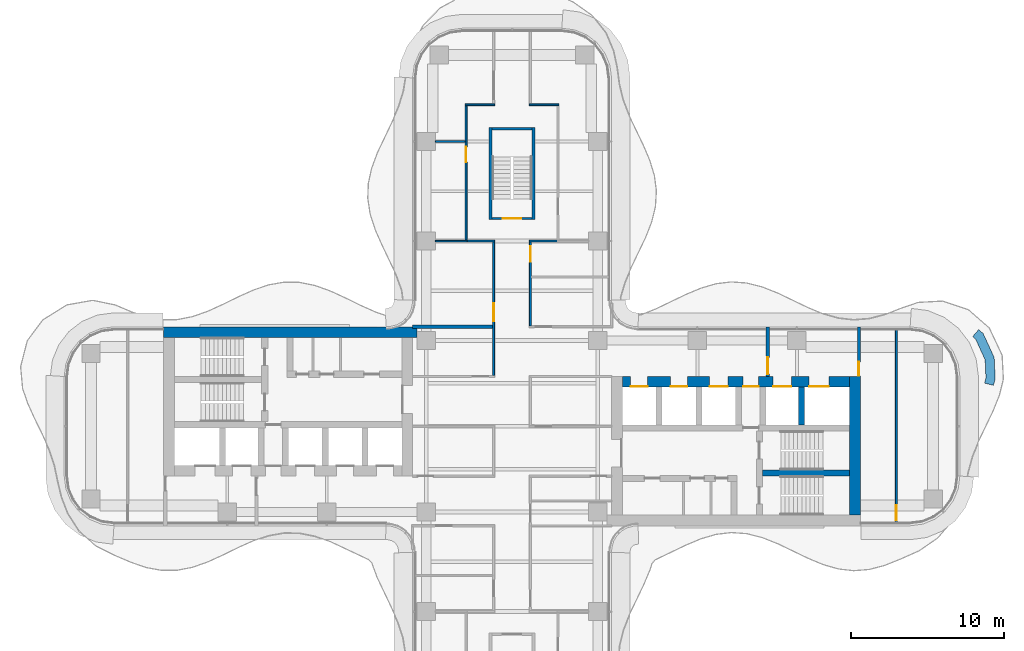
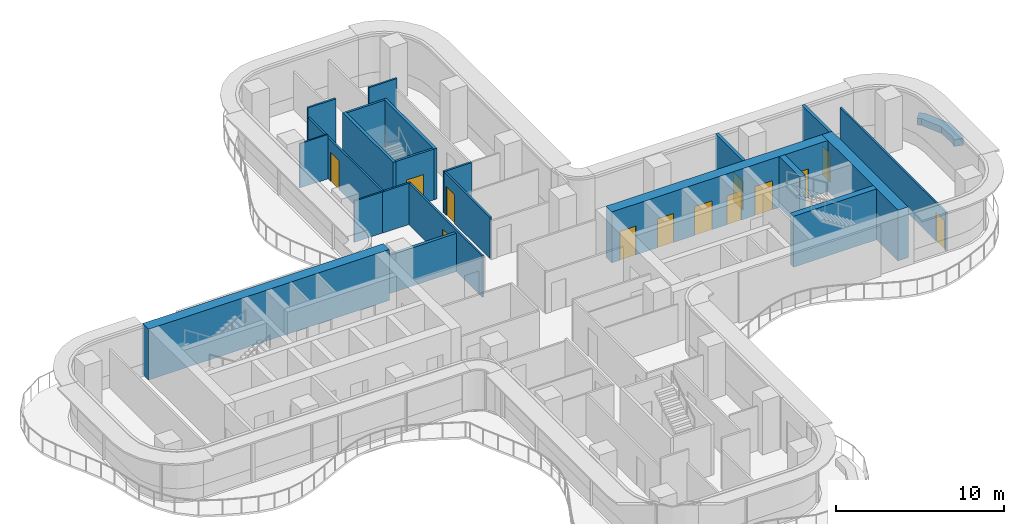
# One storey, part 15 of 18: 23 walls, 13 doors, 13 openings.
"""IFC4 building model written with IfcOpenShell, lengths in metres."""

import ifcopenshell
import ifcopenshell.guid

model = None  # the IFC model being written
_history = None  # IfcOwnerHistory: only IFC2X3 demands one
_inside = {}  # id of a spatial element -> (the spatial element, [elements in it])
_under = {}  # id of a project, library or spatial element -> (it, [spatial elements below it])
_declared = {}  # id of a project -> (the project, [libraries it declares])
_typed = {}  # id of a type object -> (the type object, [elements of that type])
_made_of = {}  # id of a material, layer set ... -> (it, [elements and type objects made of it])


def new_model(schema):
    """Start an empty IFC model of exactly this schema.

    Asked for "IFC4X3", IfcOpenShell would pick the latest addendum, in which some entities
    have other attributes; the version numbers below select the first issue.
    IFC2X3 requires an IfcOwnerHistory on every rooted entity: one is made here for all.
    """
    global model, _history
    if schema == "IFC4X3":
        model = ifcopenshell.file(schema_version=(4, 3, 0, 0))
    else:
        model = ifcopenshell.file(schema=schema)
    _inside.clear()
    _under.clear()
    _declared.clear()
    _typed.clear()
    _made_of.clear()
    _history = None
    if model.schema == "IFC2X3":
        org = make("IfcOrganization", Name="unknown")
        user = make(
            "IfcPersonAndOrganization",
            ThePerson=make("IfcPerson", FamilyName="unknown"),
            TheOrganization=org,
        )
        app = make(
            "IfcApplication",
            ApplicationDeveloper=org,
            Version="unknown",
            ApplicationFullName="unknown",
            ApplicationIdentifier="unknown",
        )
        _history = make(
            "IfcOwnerHistory",
            OwningUser=user,
            OwningApplication=app,
            ChangeAction="ADDED",
            CreationDate=0,
        )
    return model


def make(cls, **values):
    """One entity of the class cls with the attributes given. An attribute that is None is left unset."""
    return model.create_entity(
        cls, **{name: value for name, value in values.items() if value is not None}
    )


def rooted(cls, **values):
    """An entity with a GlobalId (a new one), such as an element, a storey or a relation."""
    return make(cls, GlobalId=ifcopenshell.guid.new(), OwnerHistory=_history, **values)


def si_unit(unit_type, name, prefix=None):
    """IfcSIUnit, for example si_unit("LENGTHUNIT", "METRE", prefix="MILLI")."""
    return make("IfcSIUnit", UnitType=unit_type, Prefix=prefix, Name=name)


def assignment(units):
    """IfcUnitAssignment: the units of a project."""
    return None if units is None else make("IfcUnitAssignment", Units=units)


def point(xyz):
    """IfcCartesianPoint."""
    return None if xyz is None else make("IfcCartesianPoint", Coordinates=xyz)


def direction(xyz):
    """IfcDirection."""
    return None if xyz is None else make("IfcDirection", DirectionRatios=xyz)


def frame(location, z_axis=None, x_axis=None):
    """IfcAxis2Placement3D, a coordinate frame: its origin and axes. An axis left out is left unset."""
    return make(
        "IfcAxis2Placement3D",
        Location=point(location),
        Axis=direction(z_axis),
        RefDirection=direction(x_axis),
    )


def frame_2d(location, x_axis=None):
    """IfcAxis2Placement2D, a coordinate frame in the plane: its origin and x axis."""
    return make(
        "IfcAxis2Placement2D", Location=point(location), RefDirection=direction(x_axis)
    )


def origin():
    """The frame at (0, 0, 0) with its axes left unset."""
    return frame((0.0, 0.0, 0.0))


def place(relative_to, where):
    """IfcLocalPlacement: puts the frame where relative to a parent placement (None: the world)."""
    return make(
        "IfcLocalPlacement", PlacementRelTo=relative_to, RelativePlacement=where
    )


def context(
    kind, dimensions, precision=None, world=None, true_north=None, identifier=None
):
    """IfcGeometricRepresentationContext, for example the 3D "Model" context."""
    return make(
        "IfcGeometricRepresentationContext",
        ContextIdentifier=identifier,
        ContextType=kind,
        CoordinateSpaceDimension=dimensions,
        Precision=precision,
        WorldCoordinateSystem=world,
        TrueNorth=true_north,
    )


def subcontext(parent, identifier, kind, view, scale=None):
    """IfcGeometricRepresentationSubContext, for example "Body" below "Model"."""
    return make(
        "IfcGeometricRepresentationSubContext",
        ContextIdentifier=identifier,
        ContextType=kind,
        ParentContext=parent,
        TargetScale=scale,
        TargetView=view,
    )


def project(units=None, contexts=None):
    """IfcProject with its units and contexts."""
    return rooted(
        "IfcProject",
        Name="project",
        RepresentationContexts=contexts,
        UnitsInContext=assignment(units),
    )


def spatial(cls, under=None, at=None, **own):
    """A site, building, storey or space (cls), placed at a placement, below another one or the project."""
    s = rooted(cls, ObjectPlacement=at, **own)
    if under is not None:
        _under.setdefault(under.id(), (under, []))[1].append(s)
    return s


def polyline(points):
    """IfcPolyline through the points."""
    return make("IfcPolyline", Points=[point(p) for p in points])


def profile(cls, at=None, kind="AREA", **sizes):
    """A parametric profile (cls). Its sizes go by their IFC names, for example OverallWidth=200.0."""
    return make(cls, ProfileType=kind, Position=at, **sizes)


def rectangle(**sizes):
    """IfcRectangleProfileDef."""
    return profile("IfcRectangleProfileDef", **sizes)


def outline(outer, holes=None, kind="AREA"):
    """IfcArbitraryClosedProfileDef: a profile drawn as a closed curve; with holes, ...WithVoids."""
    if holes is None:
        return make("IfcArbitraryClosedProfileDef", ProfileType=kind, OuterCurve=outer)
    return make(
        "IfcArbitraryProfileDefWithVoids",
        ProfileType=kind,
        OuterCurve=outer,
        InnerCurves=holes,
    )


def extrude(swept, where, along, depth):
    """IfcExtrudedAreaSolid: the profile swept, set in the frame where, extruded along a direction by depth."""
    return make(
        "IfcExtrudedAreaSolid",
        SweptArea=swept,
        Position=where,
        ExtrudedDirection=direction(along),
        Depth=depth,
    )


def shape(context_of_items, identifier, shape_type, items):
    """IfcShapeRepresentation: the items that make up one representation, for example the "Body"."""
    return make(
        "IfcShapeRepresentation",
        ContextOfItems=context_of_items,
        RepresentationIdentifier=identifier,
        RepresentationType=shape_type,
        Items=items,
    )


def source(mapping_origin, context_of_items, identifier, shape_type, items):
    """IfcRepresentationMap: a shape defined once, which mapped items show again and again."""
    return make(
        "IfcRepresentationMap",
        MappingOrigin=mapping_origin,
        MappedRepresentation=shape(context_of_items, identifier, shape_type, items),
    )


def transform(
    local_origin,
    x_axis=None,
    y_axis=None,
    z_axis=None,
    scale=None,
    scale2=None,
    scale3=None,
    uniform=True,
):
    """IfcCartesianTransformationOperator3D, or its non-uniform kind. x_axis, y_axis, z_axis: its Axis1, 2, 3."""
    if uniform:
        return make(
            "IfcCartesianTransformationOperator3D",
            Axis1=direction(x_axis),
            Axis2=direction(y_axis),
            LocalOrigin=point(local_origin),
            Scale=scale,
            Axis3=direction(z_axis),
        )
    return make(
        "IfcCartesianTransformationOperator3DnonUniform",
        Axis1=direction(x_axis),
        Axis2=direction(y_axis),
        LocalOrigin=point(local_origin),
        Scale=scale,
        Axis3=direction(z_axis),
        Scale2=scale2,
        Scale3=scale3,
    )


def mapped(mapping_source, mapping_target):
    """IfcMappedItem: shows the shape of a source again, moved by a transform."""
    return make(
        "IfcMappedItem", MappingSource=mapping_source, MappingTarget=mapping_target
    )


def material(Name=None, Category=None):
    """IfcMaterial."""
    return make("IfcMaterial", Name=Name, Category=Category)


def layer(
    of_material, thickness, ventilated=None, Name=None, Category=None, Priority=None
):
    """IfcMaterialLayer: one layer of a wall or slab, of a material (None: an air gap)."""
    return make(
        "IfcMaterialLayer",
        Material=of_material,
        LayerThickness=thickness,
        IsVentilated=ventilated,
        Name=Name,
        Category=Category,
        Priority=Priority,
    )


def layer_set(layers, Name=None):
    """IfcMaterialLayerSet."""
    return make("IfcMaterialLayerSet", MaterialLayers=layers, LayerSetName=Name)


def made_of(thing, what):
    """Note that an element or type object is made of a material, layer set ...; save() writes the relation."""
    if what is not None:
        _made_of.setdefault(what.id(), (what, []))[1].append(thing)
    return thing


def type_object(cls, material=None, **own):
    """A type object (cls), such as IfcWallType, which elements share."""
    return made_of(rooted(cls, **own), material)


def element(
    cls,
    number,
    at=None,
    inside=None,
    cuts=None,
    type_object=None,
    material=None,
    context=None,
    identifier="Body",
    shape_type=None,
    held_by="IfcProductDefinitionShape",
    body=None,
    shapes=None,
    **own,
):
    """One element of the class cls, such as IfcWall. Its Tag is "e" and its number.

    at: its placement. inside: the storey or other place that contains it. cuts: it is an
    opening in that element (IfcRelVoidsElement). A single representation is given by context,
    identifier, shape_type and body (its items); several are given by shapes. held_by: the class
    of the entity that holds the representations. save() writes the other relations.
    """
    e = rooted(cls, Tag="e%d" % number, ObjectPlacement=at, **own)
    if body is not None:
        shapes = [shape(context, identifier, shape_type, body)]
    if shapes is not None:
        e.Representation = make(held_by, Representations=shapes)
    if inside is not None:
        _inside.setdefault(inside.id(), (inside, []))[1].append(e)
    if cuts is not None:
        rooted(
            "IfcRelVoidsElement", RelatingBuildingElement=cuts, RelatedOpeningElement=e
        )
    if type_object is not None:
        _typed.setdefault(type_object.id(), (type_object, []))[1].append(e)
    return made_of(e, material)


def fill(opening, filler):
    """IfcRelFillsElement: the door or window that sits in an opening."""
    return rooted(
        "IfcRelFillsElement",
        RelatingOpeningElement=opening,
        RelatedBuildingElement=filler,
    )


def aggregate(whole, parts):
    """IfcRelAggregates: a whole, such as a stair, and the parts it consists of."""
    return rooted("IfcRelAggregates", RelatingObject=whole, RelatedObjects=parts)


def save(model, path):
    """Write the relations noted so far, then the file.

    IfcRelAggregates (storeys below a building ...), IfcRelContainedInSpatialStructure (elements
    in a storey), IfcRelDefinesByType, IfcRelAssociatesMaterial and IfcRelDeclares: one each for
    every whole, place, type object, material and project.
    """
    for whole, parts in _under.values():
        aggregate(whole, parts)
    for where, things in _inside.values():
        rooted(
            "IfcRelContainedInSpatialStructure",
            RelatedElements=things,
            RelatingStructure=where,
        )
    for kind, things in _typed.values():
        rooted("IfcRelDefinesByType", RelatedObjects=things, RelatingType=kind)
    for what, things in _made_of.values():
        rooted("IfcRelAssociatesMaterial", RelatedObjects=things, RelatingMaterial=what)
    for by, libraries in _declared.values():
        rooted("IfcRelDeclares", RelatingContext=by, RelatedDefinitions=libraries)
    model.write(path)


model = new_model("IFC4")

# Units and contexts
model_context = context("Model", 3, precision=1e-05, world=origin(), true_north=direction((0.0, 1.0)))
body_context = subcontext(model_context, "Body", "Model", "MODEL_VIEW")
ifc_project = project(units=[si_unit("LENGTHUNIT", "METRE"), si_unit("AREAUNIT", "SQUARE_METRE"), si_unit("VOLUMEUNIT", "CUBIC_METRE"), si_unit("PLANEANGLEUNIT", "RADIAN"), si_unit("MASSUNIT", "GRAM", prefix="KILO")], contexts=[model_context])

# Site, building, storey
site_placement = place(None, origin())
site = spatial("IfcSite", under=ifc_project, at=site_placement, CompositionType="ELEMENT")
building_placement = place(site_placement, origin())
building = spatial("IfcBuilding", under=site, at=building_placement, Name="Trellis Farm Tower", CompositionType="ELEMENT")
storey_placement = place(building_placement, frame((0.0, 0.0, 177.60009765625)))
storey = spatial("IfcBuildingStorey", under=building, at=storey_placement, Name="L38", CompositionType="ELEMENT", Elevation=177.60009765625)

# Walls
ifc_material_1 = material(Name="Sandstone faced masonry planter", Category="masonry")
ifc_layer_1 = layer(ifc_material_1, 0.60009765625)
ifc_layer_set_1 = layer_set([ifc_layer_1], Name="PLANTER BED 600")
wall_type_1 = type_object("IfcWallType", Name="PLANTER BED 600", PredefinedType="USERDEFINED", material=ifc_layer_set_1)
wall_1_placement = place(storey_placement, origin())
element("IfcWall", 1, at=wall_1_placement, inside=storey, type_object=wall_type_1, Name="PLANTER bed", ObjectType="PLANTER", PredefinedType="USERDEFINED", context=body_context, shape_type="SweptSolid", body=[
    extrude(outline(polyline([(30.771240234375, 6.055419921875), (31.48876953125, 4.49365234375), (31.552978515625, 3.110107421875), (31.440673828125, 2.66943359375), (30.859375, 2.8173828125), (30.949462890625, 3.17138671875), (30.894775390625, 4.34912109375), (30.279541015625, 5.688232421875), (30.08203125, 5.861083984375), (30.47705078125, 6.312744140625), (30.771240234375, 6.055419921875)])), origin(), (0.0, 0.0, 1.0), 0.5),
])
ifc_material_2 = material(Name="Concrete C70/85", Category="concrete")
ifc_layer_2 = layer(ifc_material_2, 0.699951171875)
ifc_layer_set_2 = layer_set([ifc_layer_2], Name="CORE OUTER WALL 700 CONCRETE C70/85")
wall_type_2 = type_object("IfcWallType", Name="CORE OUTER WALL 700 CONCRETE C70/85", PredefinedType="SHEAR", material=ifc_layer_set_2)
shared_shape_1 = source(origin(), body_context, "Body", "SweptSolid", [
    extrude(rectangle(XDim=9.050048828125, YDim=0.699951171875, at=frame_2d((4.52490234375, 0.0))), origin(), (0.0, 0.0, 1.0), 3.699951171875),
])
wall_2_placement = place(storey_placement, frame((22.39990234375, -5.800048828125, 0.0), z_axis=(0.0, 0.0, 1.0), x_axis=(0.0, 1.0, 0.0)))
element("IfcWall", 2, at=wall_2_placement, inside=storey, type_object=wall_type_2, Name="Core wall", PredefinedType="SHEAR", context=body_context, shape_type="MappedRepresentation", body=[
    mapped(shared_shape_1, transform((0.0, 0.0, 0.0))),
])
ifc_layer_3 = layer(ifc_material_2, 0.39990234375)
ifc_layer_set_3 = layer_set([ifc_layer_3], Name="CORE INNER WALL 400 CONCRETE C70/85")
wall_type_3 = type_object("IfcWallType", Name="CORE INNER WALL 400 CONCRETE C70/85", PredefinedType="SHEAR", material=ifc_layer_set_3)
shared_shape_2 = source(origin(), body_context, "Body", "SweptSolid", [
    extrude(rectangle(XDim=2.449951171875, YDim=0.39990234375, at=frame_2d((1.22509765625, 0.0))), origin(), (0.0, 0.0, 1.0), 3.699951171875),
])
wall_3_placement = place(storey_placement, frame((18.89990234375, 0.10009765625, 0.0), z_axis=(0.0, 0.0, 1.0), x_axis=(0.0, 1.0, 0.0)))
element("IfcWall", 3, at=wall_3_placement, inside=storey, type_object=wall_type_3, Name="Core wall", PredefinedType="SHEAR", context=body_context, shape_type="MappedRepresentation", body=[
    mapped(shared_shape_2, transform((0.0, 0.0, 0.0))),
])

# Wall, opening, door
ifc_material_3 = material(Name="Masonry blockwork", Category="masonry")
ifc_layer_4 = layer(ifc_material_3, 0.199951171875)
ifc_layer_set_4 = layer_set([ifc_layer_4], Name="FIRE LOBBY PARTITION 200 BLOCKWORK")
wall_type_4 = type_object("IfcWallType", Name="FIRE LOBBY PARTITION 200 BLOCKWORK", PredefinedType="PARTITIONING", material=ifc_layer_set_4)
shared_shape_3 = source(origin(), body_context, "Body", "SweptSolid", [
    extrude(rectangle(XDim=3.25, YDim=0.199951171875, at=frame_2d((1.625, 0.0))), origin(), (0.0, 0.0, 1.0), 3.699951171875),
])
wall_4_placement = place(storey_placement, frame((16.699951171875, 3.25, 0.0), z_axis=(0.0, 0.0, 1.0), x_axis=(0.0, 1.0, 0.0)))
wall_4 = element("IfcWall", 4, at=wall_4_placement, inside=storey, type_object=wall_type_4, Name="Fire-fighting lobby partition", PredefinedType="PARTITIONING", context=body_context, shape_type="MappedRepresentation", body=[
    mapped(shared_shape_3, transform((0.0, 0.0, 0.0))),
])
shared_shape_4 = source(origin(), body_context, "Body", "SweptSolid", [
    extrude(rectangle(XDim=1.10009765625, YDim=2.10009765625, at=frame_2d((0.550048828125, 1.050048828125))), frame((0.0, 0.110107421875, 0.0), z_axis=(0.0, -1.0, 0.0), x_axis=(1.0, 0.0, 0.0)), (0.0, 0.0, 1.0), 0.22021484375),
])
opening_1_placement = place(wall_4_placement, frame((0.14990234375, 0.0, 0.0)))
opening_1 = element("IfcOpeningElement", 5, at=opening_1_placement, cuts=wall_4, Name="Opening DC7", PredefinedType="OPENING", context=body_context, shape_type="MappedRepresentation", body=[
    mapped(shared_shape_4, transform((0.0, 0.0, 0.0))),
])
ifc_material_4 = material(Name="Steel", Category="steel")
door_type_1 = type_object("IfcDoorType", Name="CORE FIRE DOOR 1100 X 2100", OperationType="NOTDEFINED", PredefinedType="DOOR", material=ifc_material_4)
shared_shape_5 = source(origin(), body_context, "Body", "SweptSolid", [
    extrude(rectangle(XDim=1.10009765625, YDim=2.10009765625, at=frame_2d((0.550048828125, 1.050048828125))), frame((0.0, 0.02490234375, 0.0), z_axis=(0.0, -1.0, 0.0), x_axis=(1.0, 0.0, 0.0)), (0.0, 0.0, 1.0), 0.050048828125),
])
door_1_placement = place(opening_1_placement, origin())
door_1 = element("IfcDoor", 6, at=door_1_placement, inside=storey, type_object=door_type_1, Name="Core door", OperationType="SINGLE_SWING_RIGHT", OverallHeight=2.10009765625, OverallWidth=1.10009765625, PredefinedType="DOOR", context=body_context, shape_type="MappedRepresentation", body=[
    mapped(shared_shape_5, transform((0.0, 0.0, 0.0))),
])
fill(opening_1, door_1)

wall_5_placement = place(storey_placement, frame((22.64990234375, 3.25, 0.0), z_axis=(0.0, 0.0, 1.0), x_axis=(0.0, 1.0, 0.0)))
wall_5 = element("IfcWall", 7, at=wall_5_placement, inside=storey, type_object=wall_type_4, Name="Fire-fighting lobby partition", PredefinedType="PARTITIONING", context=body_context, shape_type="MappedRepresentation", body=[
    mapped(shared_shape_3, transform((0.0, 0.0, 0.0))),
])
shared_shape_6 = source(origin(), body_context, "Body", "SweptSolid", [
    extrude(rectangle(XDim=0.89990234375, YDim=2.10009765625, at=frame_2d((0.449951171875, 1.050048828125))), frame((0.0, 0.110107421875, 0.0), z_axis=(0.0, -1.0, 0.0), x_axis=(1.0, 0.0, 0.0)), (0.0, 0.0, 1.0), 0.22021484375),
])
opening_2_placement = place(wall_5_placement, frame((0.050048828125, 0.0, 0.0)))
opening_2 = element("IfcOpeningElement", 8, at=opening_2_placement, cuts=wall_5, Name="Opening DC8", PredefinedType="OPENING", context=body_context, shape_type="MappedRepresentation", body=[
    mapped(shared_shape_6, transform((0.0, 0.0, 0.0))),
])
door_type_2 = type_object("IfcDoorType", Name="CORE FIRE DOOR 900 X 2100", OperationType="NOTDEFINED", PredefinedType="DOOR", material=ifc_material_4)
shared_shape_7 = source(origin(), body_context, "Body", "SweptSolid", [
    extrude(rectangle(XDim=0.89990234375, YDim=2.10009765625, at=frame_2d((0.449951171875, 1.050048828125))), frame((0.0, 0.02490234375, 0.0), z_axis=(0.0, -1.0, 0.0), x_axis=(1.0, 0.0, 0.0)), (0.0, 0.0, 1.0), 0.050048828125),
])
door_2_placement = place(opening_2_placement, origin())
door_2 = element("IfcDoor", 9, at=door_2_placement, inside=storey, type_object=door_type_2, Name="Core door", OperationType="SINGLE_SWING_RIGHT", OverallHeight=2.10009765625, OverallWidth=0.89990234375, PredefinedType="DOOR", context=body_context, shape_type="MappedRepresentation", body=[
    mapped(shared_shape_7, transform((0.0, 0.0, 0.0))),
])
fill(opening_2, door_2)

# Wall
shared_shape_8 = source(origin(), body_context, "Body", "SweptSolid", [
    extrude(rectangle(XDim=16.550048828125, YDim=0.699951171875, at=frame_2d((8.27490234375, 0.0))), origin(), (0.0, 0.0, 1.0), 3.699951171875),
])
wall_6_placement = place(storey_placement, frame((-6.199951171875, 6.14990234375, 0.0), z_axis=(0.0, 0.0, 1.0), x_axis=(-1.0, 0.0, 0.0)))
element("IfcWall", 10, at=wall_6_placement, inside=storey, type_object=wall_type_2, Name="Core wall", PredefinedType="SHEAR", context=body_context, shape_type="MappedRepresentation", body=[
    mapped(shared_shape_8, transform((0.0, 0.0, 0.0))),
])

# Wall, openings, doors
shared_shape_9 = source(origin(), body_context, "Body", "SweptSolid", [
    extrude(rectangle(XDim=14.85009765625, YDim=0.699951171875, at=frame_2d((7.425048828125, 0.0))), origin(), (0.0, 0.0, 1.0), 3.699951171875),
])
wall_7_placement = place(storey_placement, frame((7.199951171875, 2.89990234375, 0.0), z_axis=(0.0, 0.0, 1.0), x_axis=(1.0, 0.0, 0.0)))
wall_7 = element("IfcWall", 11, at=wall_7_placement, inside=storey, type_object=wall_type_2, Name="Core wall", PredefinedType="SHEAR", context=body_context, shape_type="MappedRepresentation", body=[
    mapped(shared_shape_9, transform((0.0, 0.0, 0.0))),
])
shared_shape_10 = source(origin(), body_context, "Body", "SweptSolid", [
    extrude(rectangle(XDim=1.10009765625, YDim=2.10009765625, at=frame_2d((0.550048828125, 1.050048828125))), frame((0.0, 0.360107421875, 0.0), z_axis=(0.0, -1.0, 0.0), x_axis=(1.0, 0.0, 0.0)), (0.0, 0.0, 1.0), 0.72021484375),
])
opening_3_placement = place(wall_7_placement, frame((0.550048828125, 0.0, 0.0)))
opening_3 = element("IfcOpeningElement", 12, at=opening_3_placement, cuts=wall_7, Name="Opening LD4", PredefinedType="OPENING", context=body_context, shape_type="MappedRepresentation", body=[
    mapped(shared_shape_10, transform((0.0, 0.0, 0.0))),
])
opening_4_placement = place(wall_7_placement, frame((3.14990234375, 0.0, 0.0)))
opening_4 = element("IfcOpeningElement", 13, at=opening_4_placement, cuts=wall_7, Name="Opening LD5", PredefinedType="OPENING", context=body_context, shape_type="MappedRepresentation", body=[
    mapped(shared_shape_10, transform((0.0, 0.0, 0.0))),
])
shared_shape_11 = source(origin(), body_context, "Body", "SweptSolid", [
    extrude(rectangle(XDim=1.199951171875, YDim=2.10009765625, at=frame_2d((0.60009765625, 1.050048828125))), frame((0.0, 0.360107421875, 0.0), z_axis=(0.0, -1.0, 0.0), x_axis=(1.0, 0.0, 0.0)), (0.0, 0.0, 1.0), 0.72021484375),
])
opening_5_placement = place(wall_7_placement, frame((5.699951171875, 0.0, 0.0)))
opening_5 = element("IfcOpeningElement", 14, at=opening_5_placement, cuts=wall_7, Name="Opening LD6", PredefinedType="OPENING", context=body_context, shape_type="MappedRepresentation", body=[
    mapped(shared_shape_11, transform((0.0, 0.0, 0.0))),
])
shared_shape_12 = source(origin(), body_context, "Body", "SweptSolid", [
    extrude(rectangle(XDim=1.300048828125, YDim=2.10009765625, at=frame_2d((0.64990234375, 1.050048828125))), frame((0.0, 0.360107421875, 0.0), z_axis=(0.0, -1.0, 0.0), x_axis=(1.0, 0.0, 0.0)), (0.0, 0.0, 1.0), 0.72021484375),
])
opening_6_placement = place(wall_7_placement, frame((12.199951171875, 0.0, 0.0)))
opening_6 = element("IfcOpeningElement", 15, at=opening_6_placement, cuts=wall_7, Name="Opening LD7", PredefinedType="OPENING", context=body_context, shape_type="MappedRepresentation", body=[
    mapped(shared_shape_12, transform((0.0, 0.0, 0.0))),
])
opening_7_placement = place(wall_7_placement, frame((9.85009765625, 0.0, 0.0)))
opening_7 = element("IfcOpeningElement", 16, at=opening_7_placement, cuts=wall_7, Name="Opening LD8", PredefinedType="OPENING", context=body_context, shape_type="MappedRepresentation", body=[
    mapped(shared_shape_11, transform((0.0, 0.0, 0.0))),
])
shared_shape_13 = source(origin(), body_context, "Body", "SweptSolid", [
    extrude(rectangle(XDim=1.0, YDim=2.10009765625, at=frame_2d((0.5, 1.050048828125))), frame((0.0, 0.360107421875, 0.0), z_axis=(0.0, -1.0, 0.0), x_axis=(1.0, 0.0, 0.0)), (0.0, 0.0, 1.0), 0.72021484375),
])
opening_8_placement = place(wall_7_placement, frame((7.89990234375, 0.0, 0.0)))
opening_8 = element("IfcOpeningElement", 17, at=opening_8_placement, cuts=wall_7, Name="Opening DC6", PredefinedType="OPENING", context=body_context, shape_type="MappedRepresentation", body=[
    mapped(shared_shape_13, transform((0.0, 0.0, 0.0))),
])
door_type_3 = type_object("IfcDoorType", Name="CORE FIRE DOOR 1000 X 2100", OperationType="NOTDEFINED", PredefinedType="DOOR", material=ifc_material_4)
shared_shape_14 = source(origin(), body_context, "Body", "SweptSolid", [
    extrude(rectangle(XDim=1.0, YDim=2.10009765625, at=frame_2d((0.5, 1.050048828125))), frame((0.0, -0.27490234375, 0.0), z_axis=(0.0, -1.0, 0.0), x_axis=(1.0, 0.0, 0.0)), (0.0, 0.0, 1.0), 0.050048828125),
])
door_3_placement = place(opening_8_placement, origin())
door_3 = element("IfcDoor", 18, at=door_3_placement, inside=storey, type_object=door_type_3, Name="Core door", OperationType="SINGLE_SWING_LEFT", OverallHeight=2.10009765625, OverallWidth=1.0, PredefinedType="DOOR", context=body_context, shape_type="MappedRepresentation", body=[
    mapped(shared_shape_14, transform((0.0, 0.0, 0.0))),
])
fill(opening_8, door_3)
ifc_material_5 = material(Name="Stainless steel", Category="steel")
door_type_4 = type_object("IfcDoorType", Name="LIFT LANDING DOOR 1300 X 2100", OperationType="DOUBLE_DOOR_SLIDING", PredefinedType="DOOR", material=ifc_material_5)
shared_shape_15 = source(origin(), body_context, "Body", "SweptSolid", [
    extrude(rectangle(XDim=1.300048828125, YDim=2.10009765625, at=frame_2d((0.64990234375, 1.050048828125))), frame((0.0, -0.27490234375, 0.0), z_axis=(0.0, -1.0, 0.0), x_axis=(1.0, 0.0, 0.0)), (0.0, 0.0, 1.0), 0.050048828125),
])
door_4_placement = place(opening_6_placement, origin())
door_4 = element("IfcDoor", 19, at=door_4_placement, inside=storey, type_object=door_type_4, Name="Lift landing door", OperationType="DOUBLE_DOOR_SLIDING", OverallHeight=2.10009765625, OverallWidth=1.300048828125, PredefinedType="DOOR", context=body_context, shape_type="MappedRepresentation", body=[
    mapped(shared_shape_15, transform((0.0, 0.0, 0.0))),
])
fill(opening_6, door_4)
door_type_5 = type_object("IfcDoorType", Name="LIFT LANDING DOOR 1200 X 2100", OperationType="DOUBLE_DOOR_SLIDING", PredefinedType="DOOR", material=ifc_material_5)
shared_shape_16 = source(origin(), body_context, "Body", "SweptSolid", [
    extrude(rectangle(XDim=1.199951171875, YDim=2.10009765625, at=frame_2d((0.60009765625, 1.050048828125))), frame((0.0, -0.27490234375, 0.0), z_axis=(0.0, -1.0, 0.0), x_axis=(1.0, 0.0, 0.0)), (0.0, 0.0, 1.0), 0.050048828125),
])
door_5_placement = place(opening_5_placement, origin())
door_5 = element("IfcDoor", 20, at=door_5_placement, inside=storey, type_object=door_type_5, Name="Lift landing door", OperationType="DOUBLE_DOOR_SLIDING", OverallHeight=2.10009765625, OverallWidth=1.199951171875, PredefinedType="DOOR", context=body_context, shape_type="MappedRepresentation", body=[
    mapped(shared_shape_16, transform((0.0, 0.0, 0.0))),
])
fill(opening_5, door_5)
door_6_placement = place(opening_7_placement, origin())
door_6 = element("IfcDoor", 21, at=door_6_placement, inside=storey, type_object=door_type_5, Name="Lift landing door", OperationType="DOUBLE_DOOR_SLIDING", OverallHeight=2.10009765625, OverallWidth=1.199951171875, PredefinedType="DOOR", context=body_context, shape_type="MappedRepresentation", body=[
    mapped(shared_shape_16, transform((0.0, 0.0, 0.0))),
])
fill(opening_7, door_6)
door_type_6 = type_object("IfcDoorType", Name="LIFT LANDING DOOR 1100 X 2100", OperationType="DOUBLE_DOOR_SLIDING", PredefinedType="DOOR", material=ifc_material_5)
shared_shape_17 = source(origin(), body_context, "Body", "SweptSolid", [
    extrude(rectangle(XDim=1.10009765625, YDim=2.10009765625, at=frame_2d((0.550048828125, 1.050048828125))), frame((0.0, -0.27490234375, 0.0), z_axis=(0.0, -1.0, 0.0), x_axis=(1.0, 0.0, 0.0)), (0.0, 0.0, 1.0), 0.050048828125),
])
door_7_placement = place(opening_3_placement, origin())
door_7 = element("IfcDoor", 22, at=door_7_placement, inside=storey, type_object=door_type_6, Name="Lift landing door", OperationType="DOUBLE_DOOR_SLIDING", OverallHeight=2.10009765625, OverallWidth=1.10009765625, PredefinedType="DOOR", context=body_context, shape_type="MappedRepresentation", body=[
    mapped(shared_shape_17, transform((0.0, 0.0, 0.0))),
])
fill(opening_3, door_7)
door_8_placement = place(opening_4_placement, origin())
door_8 = element("IfcDoor", 23, at=door_8_placement, inside=storey, type_object=door_type_6, Name="Lift landing door", OperationType="DOUBLE_DOOR_SLIDING", OverallHeight=2.10009765625, OverallWidth=1.10009765625, PredefinedType="DOOR", context=body_context, shape_type="MappedRepresentation", body=[
    mapped(shared_shape_17, transform((0.0, 0.0, 0.0))),
])
fill(opening_4, door_8)

# Walls
shared_shape_18 = source(origin(), body_context, "Body", "SweptSolid", [
    extrude(rectangle(XDim=5.699951171875, YDim=0.39990234375, at=frame_2d((2.85009765625, 0.0))), origin(), (0.0, 0.0, 1.0), 3.699951171875),
])
wall_8_placement = place(storey_placement, frame((16.35009765625, -3.050048828125, 0.0), z_axis=(0.0, 0.0, 1.0), x_axis=(1.0, 0.0, 0.0)))
element("IfcWall", 24, at=wall_8_placement, inside=storey, type_object=wall_type_3, Name="Core wall", PredefinedType="SHEAR", context=body_context, shape_type="MappedRepresentation", body=[
    mapped(shared_shape_18, transform((0.0, 0.0, 0.0))),
])
ifc_layer_5 = layer(ifc_material_2, 0.199951171875)
ifc_layer_set_5 = layer_set([ifc_layer_5], Name="CORE STAIR ENCLOSURE WALL 200 CONCRETE C70/85")
wall_type_5 = type_object("IfcWallType", Name="CORE STAIR ENCLOSURE WALL 200 CONCRETE C70/85", PredefinedType="SHEAR", material=ifc_layer_set_5)
shared_shape_19 = source(origin(), body_context, "Body", "SweptSolid", [
    extrude(rectangle(XDim=6.0, YDim=0.199951171875, at=frame_2d((3.0, 0.0))), origin(), (0.0, 0.0, 1.0), 3.699951171875),
])
for number, where, z_axis, x_axis, name in (
    (25, (-1.39990234375, 13.5, 0.0), (0.0, 0.0, 1.0), (0.0, 1.0, 0.0), "Stair enclosure wall"),
    (26, (1.39990234375, 13.5, 0.0), (0.0, 0.0, 1.0), (0.0, 1.0, 0.0), "Stair enclosure wall"),
):
    element("IfcWall", number, at=place(storey_placement, frame(where, z_axis=z_axis, x_axis=x_axis)), inside=storey, type_object=wall_type_5, Name=name, PredefinedType="SHEAR", context=body_context, shape_type="MappedRepresentation", body=[
        mapped(shared_shape_19, transform((0.0, 0.0, 0.0))),
    ])

# Wall, opening, door
ifc_layer_6 = layer(ifc_material_2, 0.14990234375)
ifc_layer_set_6 = layer_set([ifc_layer_6], Name="CORE STAIR ENCLOSURE WALL 150 CONCRETE C70/85")
wall_type_6 = type_object("IfcWallType", Name="CORE STAIR ENCLOSURE WALL 150 CONCRETE C70/85", PredefinedType="SHEAR", material=ifc_layer_set_6)
shared_shape_20 = source(origin(), body_context, "Body", "SweptSolid", [
    extrude(rectangle(XDim=2.60009765625, YDim=0.14990234375, at=frame_2d((1.300048828125, 0.0))), origin(), (0.0, 0.0, 1.0), 3.699951171875),
])
wall_9_placement = place(storey_placement, frame((-1.300048828125, 13.574951171875, 0.0), z_axis=(0.0, 0.0, 1.0), x_axis=(1.0, 0.0, 0.0)))
wall_9 = element("IfcWall", 27, at=wall_9_placement, inside=storey, type_object=wall_type_6, Name="Stair enclosure wall", PredefinedType="SHEAR", context=body_context, shape_type="MappedRepresentation", body=[
    mapped(shared_shape_20, transform((0.0, 0.0, 0.0))),
])
shared_shape_21 = source(origin(), body_context, "Body", "SweptSolid", [
    extrude(rectangle(XDim=1.199951171875, YDim=2.10009765625, at=frame_2d((0.60009765625, 1.050048828125))), frame((0.0, 0.0849609375, 0.0), z_axis=(0.0, -1.0, 0.0), x_axis=(1.0, 0.0, 0.0)), (0.0, 0.0, 1.0), 0.169921875),
])
opening_9_placement = place(wall_9_placement, frame((0.699951171875, 0.0, 0.0)))
opening_9 = element("IfcOpeningElement", 28, at=opening_9_placement, cuts=wall_9, Name="Opening DC173", PredefinedType="OPENING", context=body_context, shape_type="MappedRepresentation", body=[
    mapped(shared_shape_21, transform((0.0, 0.0, 0.0))),
])
door_type_7 = type_object("IfcDoorType", Name="CORE FIRE DOOR 1200 X 2100", OperationType="NOTDEFINED", PredefinedType="DOOR", material=ifc_material_4)
shared_shape_22 = source(origin(), body_context, "Body", "SweptSolid", [
    extrude(rectangle(XDim=1.199951171875, YDim=2.10009765625, at=frame_2d((0.60009765625, 1.050048828125))), frame((0.0, 0.02490234375, 0.0), z_axis=(0.0, -1.0, 0.0), x_axis=(1.0, 0.0, 0.0)), (0.0, 0.0, 1.0), 0.050048828125),
])
door_9_placement = place(opening_9_placement, origin())
door_9 = element("IfcDoor", 29, at=door_9_placement, inside=storey, type_object=door_type_7, Name="Core door", OperationType="SINGLE_SWING_LEFT", OverallHeight=2.10009765625, OverallWidth=1.199951171875, PredefinedType="DOOR", context=body_context, shape_type="MappedRepresentation", body=[
    mapped(shared_shape_22, transform((0.0, 0.0, 0.0))),
])
fill(opening_9, door_9)

# Wall
wall_10_placement = place(storey_placement, frame((-1.300048828125, 19.425048828125, 0.0), z_axis=(0.0, 0.0, 1.0), x_axis=(1.0, 0.0, 0.0)))
element("IfcWall", 30, at=wall_10_placement, inside=storey, type_object=wall_type_6, Name="Stair enclosure wall", PredefinedType="SHEAR", context=body_context, shape_type="MappedRepresentation", body=[
    mapped(shared_shape_20, transform((0.0, 0.0, 0.0))),
])

# Wall, opening, door
ifc_material_6 = material(Name="Plasterboard on steel studs, mineral wool", Category="steel")
ifc_layer_7 = layer(ifc_material_6, 0.125)
ifc_layer_set_7 = layer_set([ifc_layer_7], Name="PARTITION 125 STUD EI 60")
wall_type_7 = type_object("IfcWallType", Name="PARTITION 125 STUD EI 60", PredefinedType="PARTITIONING", material=ifc_layer_set_7)
shared_shape_23 = source(origin(), body_context, "Body", "SweptSolid", [
    extrude(rectangle(XDim=5.47509765625, YDim=0.125, at=frame_2d((2.737548828125, 0.0))), origin(), (0.0, 0.0, 1.0), 2.99658203125),
])
wall_11_placement = place(storey_placement, frame((1.199951171875, 12.03759765625, 0.0), z_axis=(0.0, 0.0, 1.0), x_axis=(0.0, -1.0, 0.0)))
wall_11 = element("IfcWall", 31, at=wall_11_placement, inside=storey, type_object=wall_type_7, Name="Partition PW1", PredefinedType="PARTITIONING", context=body_context, shape_type="MappedRepresentation", body=[
    mapped(shared_shape_23, transform((0.0, 0.0, 0.0))),
])
shared_shape_24 = source(origin(), body_context, "Body", "SweptSolid", [
    extrude(rectangle(XDim=1.0, YDim=2.10009765625, at=frame_2d((0.5, 1.050048828125))), frame((0.0, 0.072509765625, 0.0), z_axis=(0.0, -1.0, 0.0), x_axis=(1.0, 0.0, 0.0)), (0.0, 0.0, 1.0), 0.14501953125),
])
opening_10_placement = place(wall_11_placement, frame((0.28759765625, 0.0, 0.0)))
opening_10 = element("IfcOpeningElement", 32, at=opening_10_placement, cuts=wall_11, Name="Opening D113", PredefinedType="OPENING", context=body_context, shape_type="MappedRepresentation", body=[
    mapped(shared_shape_24, transform((0.0, 0.0, 0.0))),
])
ifc_material_7 = material(Name="Fire-rated timber door leaf in a hollow metal frame", Category="wood")
door_type_8 = type_object("IfcDoorType", Name="DOOR 1000x2100 FD30S", OperationType="NOTDEFINED", PredefinedType="DOOR", material=ifc_material_7)
shared_shape_25 = source(origin(), body_context, "Body", "SweptSolid", [
    extrude(rectangle(XDim=1.0, YDim=2.10009765625, at=frame_2d((0.5, 1.050048828125))), frame((0.0, 0.02490234375, 0.0), z_axis=(0.0, -1.0, 0.0), x_axis=(1.0, 0.0, 0.0)), (0.0, 0.0, 1.0), 0.050048828125),
])
door_10_placement = place(opening_10_placement, origin())
door_10 = element("IfcDoor", 33, at=door_10_placement, inside=storey, type_object=door_type_8, Name="Door D113", OperationType="SINGLE_SWING_LEFT", OverallHeight=2.10009765625, OverallWidth=1.0, PredefinedType="DOOR", context=body_context, shape_type="MappedRepresentation", body=[
    mapped(shared_shape_25, transform((0.0, 0.0, 0.0))),
])
fill(opening_10, door_10)

# Wall
ifc_material_8 = material(Name="Plasterboard on steel studs", Category="steel")
ifc_layer_8 = layer(ifc_material_8, 0.10009765625)
ifc_layer_set_8 = layer_set([ifc_layer_8], Name="PARTITION 100 STUD EI 30")
wall_type_8 = type_object("IfcWallType", Name="PARTITION 100 STUD EI 30", PredefinedType="PARTITIONING", material=ifc_layer_set_8)
shared_shape_26 = source(origin(), body_context, "Body", "SweptSolid", [
    extrude(rectangle(XDim=2.0625, YDim=0.10009765625, at=frame_2d((1.03125, 0.0))), origin(), (0.0, 0.0, 1.0), 2.99658203125),
])
wall_12_placement = place(storey_placement, frame((-5.0, 12.10009765625, 0.0), z_axis=(0.0, 0.0, 1.0), x_axis=(1.0, 0.0, 0.0)))
element("IfcWall", 34, at=wall_12_placement, inside=storey, type_object=wall_type_8, Name="Partition PW2", PredefinedType="PARTITIONING", context=body_context, shape_type="MappedRepresentation", body=[
    mapped(shared_shape_26, transform((0.0, 0.0, 0.0))),
])

# Wall, opening, door
shared_shape_27 = source(origin(), body_context, "Body", "SweptSolid", [
    extrude(rectangle(XDim=8.78759765625, YDim=0.125, at=frame_2d((4.393798828125, 0.0))), origin(), (0.0, 0.0, 1.0), 2.99658203125),
])
wall_13_placement = place(storey_placement, frame((-3.0, 12.14990234375, 0.0), z_axis=(0.0, 0.0, 1.0), x_axis=(0.0, 1.0, 0.0)))
wall_13 = element("IfcWall", 35, at=wall_13_placement, inside=storey, type_object=wall_type_7, Name="Partition PW1", PredefinedType="PARTITIONING", context=body_context, shape_type="MappedRepresentation", body=[
    mapped(shared_shape_27, transform((0.0, 0.0, 0.0))),
])
opening_11_placement = place(wall_13_placement, frame((5.10009765625, 0.0, 0.0)))
opening_11 = element("IfcOpeningElement", 36, at=opening_11_placement, cuts=wall_13, Name="Opening D115", PredefinedType="OPENING", context=body_context, shape_type="MappedRepresentation", body=[
    mapped(shared_shape_24, transform((0.0, 0.0, 0.0))),
])
door_11_placement = place(opening_11_placement, origin())
door_11 = element("IfcDoor", 37, at=door_11_placement, inside=storey, type_object=door_type_8, Name="Door D115", OperationType="SINGLE_SWING_RIGHT", OverallHeight=2.10009765625, OverallWidth=1.0, PredefinedType="DOOR", context=body_context, shape_type="MappedRepresentation", body=[
    mapped(shared_shape_25, transform((0.0, 0.0, 0.0))),
])
fill(opening_11, door_11)

shared_shape_28 = source(origin(), body_context, "Body", "SweptSolid", [
    extrude(rectangle(XDim=8.72509765625, YDim=0.125, at=frame_2d((4.362548828125, 0.0))), origin(), (0.0, 0.0, 1.0), 2.99658203125),
])
wall_14_placement = place(storey_placement, frame((-1.199951171875, 12.03759765625, 0.0), z_axis=(0.0, 0.0, 1.0), x_axis=(0.0, -1.0, 0.0)))
wall_14 = element("IfcWall", 38, at=wall_14_placement, inside=storey, type_object=wall_type_7, Name="Partition PW1", PredefinedType="PARTITIONING", context=body_context, shape_type="MappedRepresentation", body=[
    mapped(shared_shape_28, transform((0.0, 0.0, 0.0))),
])
shared_shape_29 = source(origin(), body_context, "Body", "SweptSolid", [
    extrude(rectangle(XDim=1.199951171875, YDim=2.10009765625, at=frame_2d((0.60009765625, 1.050048828125))), frame((0.0, 0.072509765625, 0.0), z_axis=(0.0, -1.0, 0.0), x_axis=(1.0, 0.0, 0.0)), (0.0, 0.0, 1.0), 0.14501953125),
])
opening_12_placement = place(wall_14_placement, frame((3.987548828125, 0.0, 0.0)))
opening_12 = element("IfcOpeningElement", 39, at=opening_12_placement, cuts=wall_14, Name="Opening D601", PredefinedType="OPENING", context=body_context, shape_type="MappedRepresentation", body=[
    mapped(shared_shape_29, transform((0.0, 0.0, 0.0))),
])
door_type_9 = type_object("IfcDoorType", Name="DOOR 1200x2100 FD30S", OperationType="NOTDEFINED", PredefinedType="DOOR", material=ifc_material_7)
door_12_placement = place(opening_12_placement, origin())
door_12 = element("IfcDoor", 40, at=door_12_placement, inside=storey, type_object=door_type_9, Name="Door D601", OperationType="SINGLE_SWING_RIGHT", OverallHeight=2.10009765625, OverallWidth=1.199951171875, PredefinedType="DOOR", context=body_context, shape_type="MappedRepresentation", body=[
    mapped(shared_shape_22, transform((0.0, 0.0, 0.0))),
])
fill(opening_12, door_12)

# Walls
shared_shape_30 = source(origin(), body_context, "Body", "SweptSolid", [
    extrude(rectangle(XDim=1.925048828125, YDim=0.125, at=frame_2d((0.96240234375, 0.0))), origin(), (0.0, 0.0, 1.0), 3.699951171875),
])
for number, where, z_axis, x_axis, name in (
    (41, (-3.0625, 21.0, 0.0), (0.0, 0.0, 1.0), (1.0, 0.0, 0.0), "Partition PW1"),
    (42, (1.137451171875, 21.0, 0.0), (0.0, 0.0, 1.0), (1.0, 0.0, 0.0), "Partition PW1"),
):
    element("IfcWall", number, at=place(storey_placement, frame(where, z_axis=z_axis, x_axis=x_axis)), inside=storey, type_object=wall_type_7, Name=name, PredefinedType="PARTITIONING", context=body_context, shape_type="MappedRepresentation", body=[
        mapped(shared_shape_30, transform((0.0, 0.0, 0.0))),
    ])
shared_shape_31 = source(origin(), body_context, "Body", "SweptSolid", [
    extrude(rectangle(XDim=1.925048828125, YDim=0.125, at=frame_2d((0.96240234375, 0.0))), origin(), (0.0, 0.0, 1.0), 2.99658203125),
])
for number, where, z_axis, x_axis, name in (
    (43, (-1.137451171875, 12.10009765625, 0.0), (0.0, 0.0, 1.0), (-1.0, 0.0, 0.0), "Partition PW1"),
    (44, (3.0625, 12.10009765625, 0.0), (0.0, 0.0, 1.0), (-1.0, 0.0, 0.0), "Partition PW1"),
):
    element("IfcWall", number, at=place(storey_placement, frame(where, z_axis=z_axis, x_axis=x_axis)), inside=storey, type_object=wall_type_7, Name=name, PredefinedType="PARTITIONING", context=body_context, shape_type="MappedRepresentation", body=[
        mapped(shared_shape_31, transform((0.0, 0.0, 0.0))),
    ])

# Wall, opening, door
shared_shape_32 = source(origin(), body_context, "Body", "SweptSolid", [
    extrude(rectangle(XDim=12.60009765625, YDim=0.125, at=frame_2d((6.300048828125, 0.0))), origin(), (0.0, 0.0, 1.0), 2.77978515625),
])
wall_15_placement = place(storey_placement, frame((25.10009765625, 6.300048828125, 0.0), z_axis=(0.0, 0.0, 1.0), x_axis=(0.0, -1.0, 0.0)))
wall_15 = element("IfcWall", 45, at=wall_15_placement, inside=storey, type_object=wall_type_7, Name="Partition PW1", PredefinedType="PARTITIONING", context=body_context, shape_type="MappedRepresentation", body=[
    mapped(shared_shape_32, transform((0.0, 0.0, 0.0))),
])
opening_13_placement = place(wall_15_placement, frame((11.449951171875, 0.0, 0.0)))
opening_13 = element("IfcOpeningElement", 46, at=opening_13_placement, cuts=wall_15, Name="Opening D108", PredefinedType="OPENING", context=body_context, shape_type="MappedRepresentation", body=[
    mapped(shared_shape_24, transform((0.0, 0.0, 0.0))),
])
door_13_placement = place(opening_13_placement, origin())
door_13 = element("IfcDoor", 47, at=door_13_placement, inside=storey, type_object=door_type_8, Name="Door D108", OperationType="SINGLE_SWING_RIGHT", OverallHeight=2.10009765625, OverallWidth=1.0, PredefinedType="DOOR", context=body_context, shape_type="MappedRepresentation", body=[
    mapped(shared_shape_25, transform((0.0, 0.0, 0.0))),
])
fill(opening_13, door_13)

# Walls
shared_shape_33 = source(origin(), body_context, "Body", "SweptSolid", [
    extrude(rectangle(XDim=1.9375, YDim=0.10009765625, at=frame_2d((0.96875, 0.0))), origin(), (0.0, 0.0, 1.0), 3.222900390625),
])
wall_16_placement = place(storey_placement, frame((-5.0, 18.60009765625, 0.0), z_axis=(0.0, 0.0, 1.0), x_axis=(1.0, 0.0, 0.0)))
element("IfcWall", 48, at=wall_16_placement, inside=storey, type_object=wall_type_8, Name="Partition PW2", PredefinedType="PARTITIONING", context=body_context, shape_type="MappedRepresentation", body=[
    mapped(shared_shape_33, transform((0.0, 0.0, 0.0))),
])
ifc_material_9 = material(Name="Lightweight blockwork, plastered", Category="masonry")
ifc_layer_9 = layer(ifc_material_9, 0.199951171875)
ifc_layer_set_9 = layer_set([ifc_layer_9], Name="BLOCK WALL 200 EI 120")
wall_type_9 = type_object("IfcWallType", Name="BLOCK WALL 200 EI 120", PredefinedType="PARTITIONING", material=ifc_layer_set_9)
shared_shape_34 = source(origin(), body_context, "Body", "SweptSolid", [
    extrude(rectangle(XDim=5.237548828125, YDim=0.199951171875, at=frame_2d((2.61865234375, 0.0))), origin(), (0.0, 0.0, 1.0), 2.77978515625),
])
wall_17_placement = place(storey_placement, frame((-6.5, 6.5, 0.0), z_axis=(0.0, 0.0, 1.0), x_axis=(1.0, 0.0, 0.0)))
element("IfcWall", 49, at=wall_17_placement, inside=storey, type_object=wall_type_9, Name="Partition PW3", PredefinedType="PARTITIONING", context=body_context, shape_type="MappedRepresentation", body=[
    mapped(shared_shape_34, transform((0.0, 0.0, 0.0))),
])

save(model, "model.ifc")
